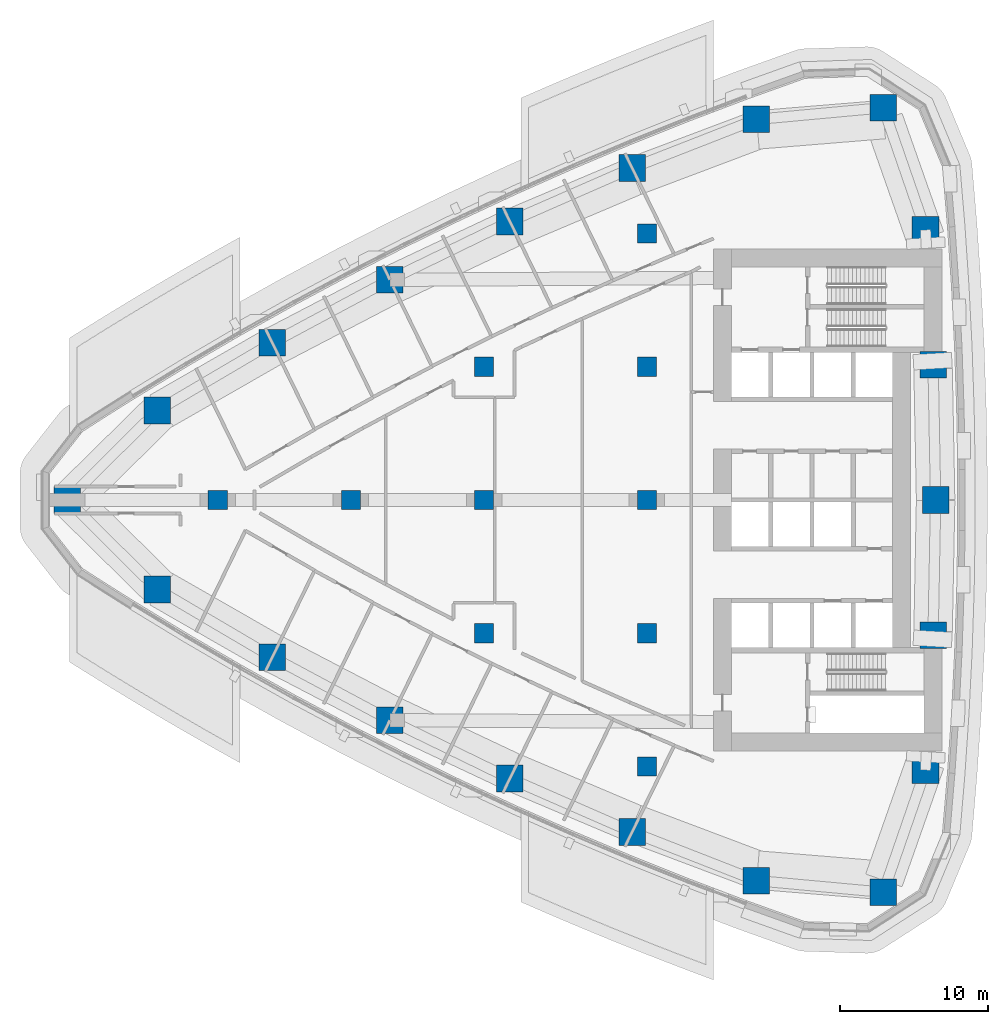
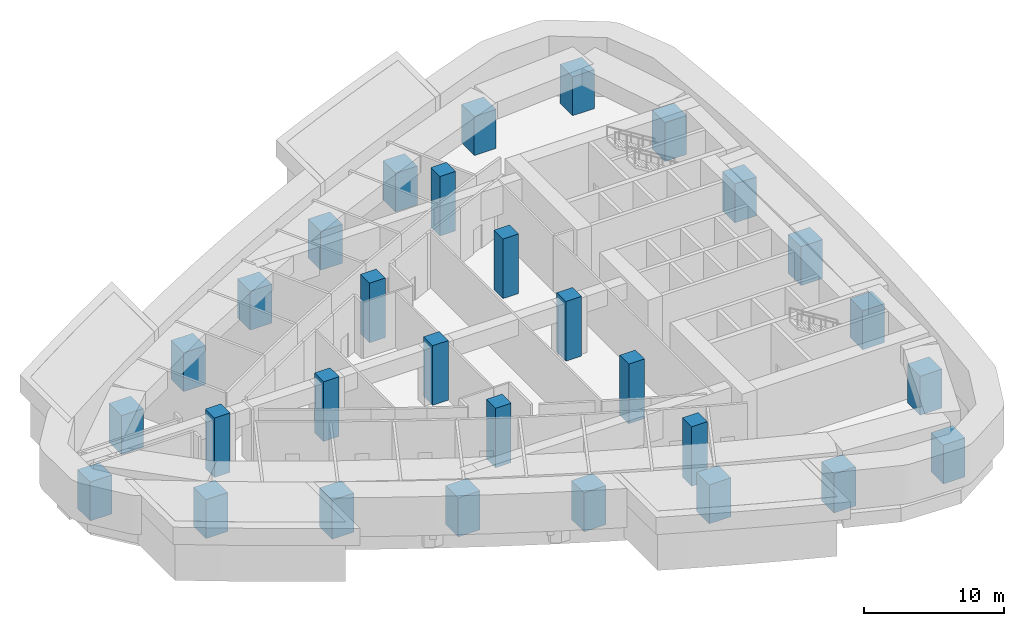
# One storey, part 1 of 17: 30 columns.
"""IFC4 building model written with IfcOpenShell, lengths in metres."""

import ifcopenshell
import ifcopenshell.guid

model = None  # the IFC model being written
_history = None  # IfcOwnerHistory: only IFC2X3 demands one
_inside = {}  # id of a spatial element -> (the spatial element, [elements in it])
_under = {}  # id of a project, library or spatial element -> (it, [spatial elements below it])
_declared = {}  # id of a project -> (the project, [libraries it declares])
_typed = {}  # id of a type object -> (the type object, [elements of that type])
_made_of = {}  # id of a material, layer set ... -> (it, [elements and type objects made of it])


def new_model(schema):
    """Start an empty IFC model of exactly this schema.

    Asked for "IFC4X3", IfcOpenShell would pick the latest addendum, in which some entities
    have other attributes; the version numbers below select the first issue.
    IFC2X3 requires an IfcOwnerHistory on every rooted entity: one is made here for all.
    """
    global model, _history
    if schema == "IFC4X3":
        model = ifcopenshell.file(schema_version=(4, 3, 0, 0))
    else:
        model = ifcopenshell.file(schema=schema)
    _inside.clear()
    _under.clear()
    _declared.clear()
    _typed.clear()
    _made_of.clear()
    _history = None
    if model.schema == "IFC2X3":
        org = make("IfcOrganization", Name="unknown")
        user = make(
            "IfcPersonAndOrganization",
            ThePerson=make("IfcPerson", FamilyName="unknown"),
            TheOrganization=org,
        )
        app = make(
            "IfcApplication",
            ApplicationDeveloper=org,
            Version="unknown",
            ApplicationFullName="unknown",
            ApplicationIdentifier="unknown",
        )
        _history = make(
            "IfcOwnerHistory",
            OwningUser=user,
            OwningApplication=app,
            ChangeAction="ADDED",
            CreationDate=0,
        )
    return model


def make(cls, **values):
    """One entity of the class cls with the attributes given. An attribute that is None is left unset."""
    return model.create_entity(
        cls, **{name: value for name, value in values.items() if value is not None}
    )


def rooted(cls, **values):
    """An entity with a GlobalId (a new one), such as an element, a storey or a relation."""
    return make(cls, GlobalId=ifcopenshell.guid.new(), OwnerHistory=_history, **values)


def si_unit(unit_type, name, prefix=None):
    """IfcSIUnit, for example si_unit("LENGTHUNIT", "METRE", prefix="MILLI")."""
    return make("IfcSIUnit", UnitType=unit_type, Prefix=prefix, Name=name)


def assignment(units):
    """IfcUnitAssignment: the units of a project."""
    return None if units is None else make("IfcUnitAssignment", Units=units)


def point(xyz):
    """IfcCartesianPoint."""
    return None if xyz is None else make("IfcCartesianPoint", Coordinates=xyz)


def direction(xyz):
    """IfcDirection."""
    return None if xyz is None else make("IfcDirection", DirectionRatios=xyz)


def frame(location, z_axis=None, x_axis=None):
    """IfcAxis2Placement3D, a coordinate frame: its origin and axes. An axis left out is left unset."""
    return make(
        "IfcAxis2Placement3D",
        Location=point(location),
        Axis=direction(z_axis),
        RefDirection=direction(x_axis),
    )


def frame_2d(location, x_axis=None):
    """IfcAxis2Placement2D, a coordinate frame in the plane: its origin and x axis."""
    return make(
        "IfcAxis2Placement2D", Location=point(location), RefDirection=direction(x_axis)
    )


def origin():
    """The frame at (0, 0, 0) with its axes left unset."""
    return frame((0.0, 0.0, 0.0))


def origin_2d():
    """The frame at (0, 0) in the plane with its x axis left unset."""
    return frame_2d((0.0, 0.0))


def place(relative_to, where):
    """IfcLocalPlacement: puts the frame where relative to a parent placement (None: the world)."""
    return make(
        "IfcLocalPlacement", PlacementRelTo=relative_to, RelativePlacement=where
    )


def context(
    kind, dimensions, precision=None, world=None, true_north=None, identifier=None
):
    """IfcGeometricRepresentationContext, for example the 3D "Model" context."""
    return make(
        "IfcGeometricRepresentationContext",
        ContextIdentifier=identifier,
        ContextType=kind,
        CoordinateSpaceDimension=dimensions,
        Precision=precision,
        WorldCoordinateSystem=world,
        TrueNorth=true_north,
    )


def subcontext(parent, identifier, kind, view, scale=None):
    """IfcGeometricRepresentationSubContext, for example "Body" below "Model"."""
    return make(
        "IfcGeometricRepresentationSubContext",
        ContextIdentifier=identifier,
        ContextType=kind,
        ParentContext=parent,
        TargetScale=scale,
        TargetView=view,
    )


def project(units=None, contexts=None):
    """IfcProject with its units and contexts."""
    return rooted(
        "IfcProject",
        Name="project",
        RepresentationContexts=contexts,
        UnitsInContext=assignment(units),
    )


def spatial(cls, under=None, at=None, **own):
    """A site, building, storey or space (cls), placed at a placement, below another one or the project."""
    s = rooted(cls, ObjectPlacement=at, **own)
    if under is not None:
        _under.setdefault(under.id(), (under, []))[1].append(s)
    return s


def profile(cls, at=None, kind="AREA", **sizes):
    """A parametric profile (cls). Its sizes go by their IFC names, for example OverallWidth=200.0."""
    return make(cls, ProfileType=kind, Position=at, **sizes)


def rectangle(**sizes):
    """IfcRectangleProfileDef."""
    return profile("IfcRectangleProfileDef", **sizes)


def extrude(swept, where, along, depth):
    """IfcExtrudedAreaSolid: the profile swept, set in the frame where, extruded along a direction by depth."""
    return make(
        "IfcExtrudedAreaSolid",
        SweptArea=swept,
        Position=where,
        ExtrudedDirection=direction(along),
        Depth=depth,
    )


def shape(context_of_items, identifier, shape_type, items):
    """IfcShapeRepresentation: the items that make up one representation, for example the "Body"."""
    return make(
        "IfcShapeRepresentation",
        ContextOfItems=context_of_items,
        RepresentationIdentifier=identifier,
        RepresentationType=shape_type,
        Items=items,
    )


def material(Name=None, Category=None):
    """IfcMaterial."""
    return make("IfcMaterial", Name=Name, Category=Category)


def material_profile(
    of_material, cross_section, Name=None, Category=None, Priority=None
):
    """IfcMaterialProfile: a cross section and its material."""
    return make(
        "IfcMaterialProfile",
        Name=Name,
        Material=of_material,
        Profile=cross_section,
        Priority=Priority,
        Category=Category,
    )


def profile_set(profiles, Name=None, composite=None):
    """IfcMaterialProfileSet."""
    return make(
        "IfcMaterialProfileSet",
        Name=Name,
        MaterialProfiles=profiles,
        CompositeProfile=composite,
    )


def made_of(thing, what):
    """Note that an element or type object is made of a material, layer set ...; save() writes the relation."""
    if what is not None:
        _made_of.setdefault(what.id(), (what, []))[1].append(thing)
    return thing


def type_object(cls, material=None, **own):
    """A type object (cls), such as IfcWallType, which elements share."""
    return made_of(rooted(cls, **own), material)


def element(
    cls,
    number,
    at=None,
    inside=None,
    cuts=None,
    type_object=None,
    material=None,
    context=None,
    identifier="Body",
    shape_type=None,
    held_by="IfcProductDefinitionShape",
    body=None,
    shapes=None,
    **own,
):
    """One element of the class cls, such as IfcWall. Its Tag is "e" and its number.

    at: its placement. inside: the storey or other place that contains it. cuts: it is an
    opening in that element (IfcRelVoidsElement). A single representation is given by context,
    identifier, shape_type and body (its items); several are given by shapes. held_by: the class
    of the entity that holds the representations. save() writes the other relations.
    """
    e = rooted(cls, Tag="e%d" % number, ObjectPlacement=at, **own)
    if body is not None:
        shapes = [shape(context, identifier, shape_type, body)]
    if shapes is not None:
        e.Representation = make(held_by, Representations=shapes)
    if inside is not None:
        _inside.setdefault(inside.id(), (inside, []))[1].append(e)
    if cuts is not None:
        rooted(
            "IfcRelVoidsElement", RelatingBuildingElement=cuts, RelatedOpeningElement=e
        )
    if type_object is not None:
        _typed.setdefault(type_object.id(), (type_object, []))[1].append(e)
    return made_of(e, material)


def aggregate(whole, parts):
    """IfcRelAggregates: a whole, such as a stair, and the parts it consists of."""
    return rooted("IfcRelAggregates", RelatingObject=whole, RelatedObjects=parts)


def save(model, path):
    """Write the relations noted so far, then the file.

    IfcRelAggregates (storeys below a building ...), IfcRelContainedInSpatialStructure (elements
    in a storey), IfcRelDefinesByType, IfcRelAssociatesMaterial and IfcRelDeclares: one each for
    every whole, place, type object, material and project.
    """
    for whole, parts in _under.values():
        aggregate(whole, parts)
    for where, things in _inside.values():
        rooted(
            "IfcRelContainedInSpatialStructure",
            RelatedElements=things,
            RelatingStructure=where,
        )
    for kind, things in _typed.values():
        rooted("IfcRelDefinesByType", RelatedObjects=things, RelatingType=kind)
    for what, things in _made_of.values():
        rooted("IfcRelAssociatesMaterial", RelatedObjects=things, RelatingMaterial=what)
    for by, libraries in _declared.values():
        rooted("IfcRelDeclares", RelatingContext=by, RelatedDefinitions=libraries)
    model.write(path)


model = new_model("IFC4")

# Units and contexts
model_context = context("Model", 3, precision=1e-05, world=origin(), true_north=direction((0.0, 1.0)))
body_context = subcontext(model_context, "Body", "Model", "MODEL_VIEW")
ifc_project = project(units=[si_unit("LENGTHUNIT", "METRE"), si_unit("AREAUNIT", "SQUARE_METRE"), si_unit("VOLUMEUNIT", "CUBIC_METRE"), si_unit("PLANEANGLEUNIT", "RADIAN"), si_unit("MASSUNIT", "GRAM", prefix="KILO")], contexts=[model_context])

# Site, building, storey
site_placement = place(None, origin())
site = spatial("IfcSite", under=ifc_project, at=site_placement, CompositionType="ELEMENT")
building_placement = place(site_placement, origin())
building = spatial("IfcBuilding", under=site, at=building_placement, Name="Ostrand Prow Hotel Tower", CompositionType="ELEMENT")
storey_placement = place(building_placement, frame((0.0, 0.0, 75.10009765625)))
storey = spatial("IfcBuildingStorey", under=building, at=storey_placement, Name="L17", CompositionType="ELEMENT", Elevation=75.10009765625)

# Columns
ifc_material_1 = material(Name="Concrete C80/95", Category="concrete")
ifc_material_profile_1 = material_profile(ifc_material_1, rectangle(XDim=1.300048828125, YDim=1.300048828125, at=origin_2d()), Name="RC 1300x1300")
ifc_profile_set_1 = profile_set([ifc_material_profile_1], Name="Concrete C80/95")
column_type_1 = type_object("IfcColumnType", Name="Interior column 1300x1300 C80/95", PredefinedType="COLUMN", material=ifc_profile_set_1)
for number, where, z_axis, x_axis, name in (
    (1, (16.0, 0.0, 0.0), (0.0, 0.0, 1.0), (1.0, 0.0, 0.0), "Interior column 16C0"),
    (2, (25.0, 0.0, 0.0), (0.0, 0.0, 1.0), (1.0, 0.0, 0.0), "Interior column 25C0"),
    (3, (34.0, -9.0, 0.0), (0.0, 0.0, 1.0), (1.0, 0.0, 0.0), "Interior column 34S9"),
    (4, (34.0, 0.0, 0.0), (0.0, 0.0, 1.0), (1.0, 0.0, 0.0), "Interior column 34C0"),
    (5, (34.0, 9.0, 0.0), (0.0, 0.0, 1.0), (1.0, 0.0, 0.0), "Interior column 34N9"),
    (6, (45.0, -18.0, 0.0), (0.0, 0.0, 1.0), (1.0, 0.0, 0.0), "Interior column 45S18"),
    (7, (45.0, -9.0, 0.0), (0.0, 0.0, 1.0), (1.0, 0.0, 0.0), "Interior column 45S9"),
    (8, (45.0, 0.0, 0.0), (0.0, 0.0, 1.0), (1.0, 0.0, 0.0), "Interior column 45C0"),
    (9, (45.0, 9.0, 0.0), (0.0, 0.0, 1.0), (1.0, 0.0, 0.0), "Interior column 45N9"),
    (10, (45.0, 18.0, 0.0), (0.0, 0.0, 1.0), (1.0, 0.0, 0.0), "Interior column 45N18"),
):
    element("IfcColumn", number, at=place(storey_placement, frame(where, z_axis=z_axis, x_axis=x_axis)), inside=storey, type_object=column_type_1, Name=name, PredefinedType="COLUMN", context=body_context, shape_type="SweptSolid", body=[
        extrude(rectangle(XDim=1.300048828125, YDim=1.300048828125, at=origin_2d()), origin(), (0.0, 0.0, 1.0), 5.199951171875),
    ])
ifc_material_2 = material(Name="Concrete C80/95", Category="concrete")
ifc_material_profile_2 = material_profile(ifc_material_2, rectangle(XDim=1.800048828125, YDim=1.800048828125, at=origin_2d()), Name="RC 1800x1800")
ifc_profile_set_2 = profile_set([ifc_material_profile_2], Name="Concrete C80/95")
column_type_2 = type_object("IfcColumnType", Name="Stone-faced mega column 1800x1800 C80/95", PredefinedType="COLUMN", material=ifc_profile_set_2)
for number, where, z_axis, x_axis, name in (
    (11, (5.848388671875, 0.0, 0.0), (0.0, 0.0, 1.0), (1.0, 0.0, 0.0), "Mega column P"),
    (12, (11.926513671875, -6.0419921875, 0.0), (0.0, 0.0, 1.0), (1.0, 0.0, 0.0), "Mega column S1"),
    (13, (19.69287109375, -10.61474609375, 0.0), (0.0, 0.0, 1.0), (1.0, 0.0, 0.0), "Mega column S2"),
    (14, (27.635498046875, -14.874267578125, 0.0), (0.0, 0.0, 1.0), (1.0, 0.0, 0.0), "Mega column S3"),
    (15, (35.7412109375, -18.814208984375, 0.0), (0.0, 0.0, 1.0), (1.0, 0.0, 0.0), "Mega column S4"),
    (16, (43.997802734375, -22.427978515625, 0.0), (0.0, 0.0, 1.0), (1.0, 0.0, 0.0), "Mega column S5"),
    (17, (52.3916015625, -25.710205078125, 0.0), (0.0, 0.0, 1.0), (1.0, 0.0, 0.0), "Mega column S6"),
    (18, (60.966064453125, -26.49853515625, 0.0), (0.0, 0.0, 1.0), (1.0, 0.0, 0.0), "Mega column SE"),
    (19, (63.8134765625, -18.248779296875, 0.0), (0.0, 0.0, 1.0), (1.0, 0.0, 0.0), "Mega column B1"),
    (20, (64.328369140625, -9.130859375, 0.0), (0.0, 0.0, 1.0), (1.0, 0.0, 0.0), "Mega column B2"),
    (21, (64.5, 0.0, 0.0), (0.0, 0.0, 1.0), (1.0, 0.0, 0.0), "Mega column B3"),
    (22, (64.328369140625, 9.130859375, 0.0), (0.0, 0.0, 1.0), (1.0, 0.0, 0.0), "Mega column B4"),
    (23, (63.8134765625, 18.248779296875, 0.0), (0.0, 0.0, 1.0), (1.0, 0.0, 0.0), "Mega column B5"),
    (24, (60.966064453125, 26.49853515625, 0.0), (0.0, 0.0, 1.0), (1.0, 0.0, 0.0), "Mega column NE"),
    (25, (52.3916015625, 25.710205078125, 0.0), (0.0, 0.0, 1.0), (1.0, 0.0, 0.0), "Mega column N1"),
    (26, (43.997802734375, 22.427978515625, 0.0), (0.0, 0.0, 1.0), (1.0, 0.0, 0.0), "Mega column N2"),
    (27, (35.7412109375, 18.814208984375, 0.0), (0.0, 0.0, 1.0), (1.0, 0.0, 0.0), "Mega column N3"),
    (28, (27.635498046875, 14.874267578125, 0.0), (0.0, 0.0, 1.0), (1.0, 0.0, 0.0), "Mega column N4"),
    (29, (19.69287109375, 10.61474609375, 0.0), (0.0, 0.0, 1.0), (1.0, 0.0, 0.0), "Mega column N5"),
    (30, (11.926513671875, 6.0419921875, 0.0), (0.0, 0.0, 1.0), (1.0, 0.0, 0.0), "Mega column N6"),
):
    element("IfcColumn", number, at=place(storey_placement, frame(where, z_axis=z_axis, x_axis=x_axis)), inside=storey, type_object=column_type_2, Name=name, PredefinedType="COLUMN", context=body_context, shape_type="SweptSolid", body=[
        extrude(rectangle(XDim=1.800048828125, YDim=1.800048828125, at=origin_2d()), origin(), (0.0, 0.0, 1.0), 3.39990234375),
    ])

save(model, "model.ifc")
